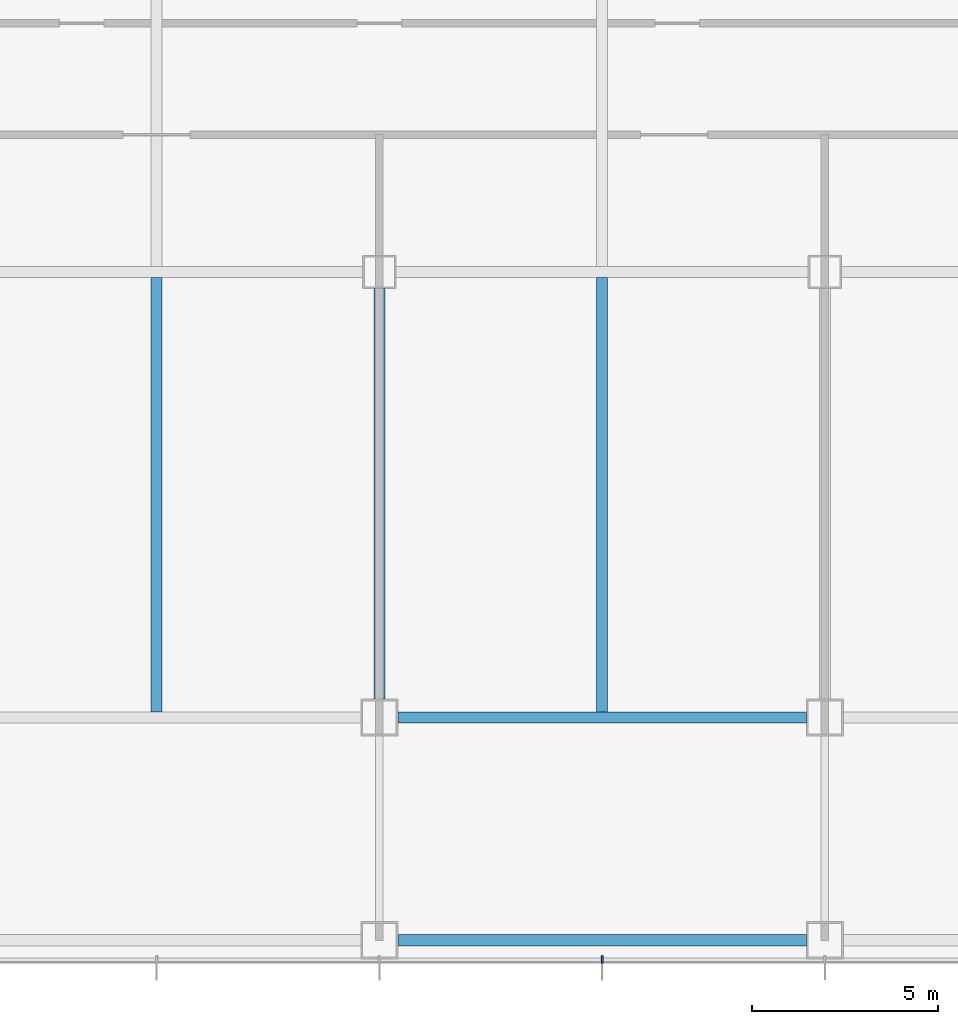
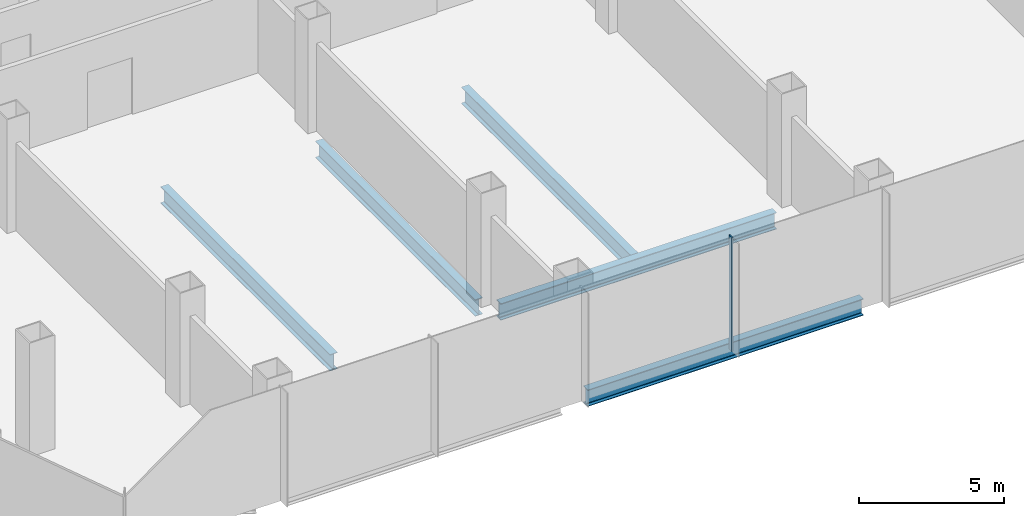
# One storey, part 3 of 33: 5 beams, 1 member, 1 element without a shape of its own.
"""IFC4 building model written with IfcOpenShell, lengths in metres."""

from ifc_helpers import new_model, si_unit, direction, frame, origin, origin_2d, place, context, subcontext, project, spatial, rectangle, i_section, extrude, material, material_profile, profile_set, type_object, element, aggregate, save


model = new_model("IFC4")

# Units and contexts
model_context = context("Model", 3, precision=1e-05, world=origin(), true_north=direction((0.0, 1.0)))
body_context = subcontext(model_context, "Body", "Model", "MODEL_VIEW")
ifc_project = project(units=[si_unit("LENGTHUNIT", "METRE"), si_unit("AREAUNIT", "SQUARE_METRE"), si_unit("VOLUMEUNIT", "CUBIC_METRE"), si_unit("PLANEANGLEUNIT", "RADIAN"), si_unit("MASSUNIT", "GRAM", prefix="KILO")], contexts=[model_context])

# Site, building, storey
site_placement = place(None, origin())
site = spatial("IfcSite", under=ifc_project, at=site_placement, CompositionType="ELEMENT")
building_placement = place(site_placement, origin())
building = spatial("IfcBuilding", under=site, at=building_placement, Name="Sorahane Residences", CompositionType="ELEMENT")
storey_placement = place(building_placement, frame((0.0, 0.0, 25.199951171875)))
storey = spatial("IfcBuildingStorey", under=building, at=storey_placement, Name="L03", CompositionType="ELEMENT", Elevation=25.199951171875)

# Curtain wall, member
ifc_material_1 = material(Name="Dark low-e glass and black anodised aluminium", Category="aluminium")
curtain_wall_type = type_object("IfcCurtainWallType", Name="Curtain wall CW-3 Podium unitised wall", PredefinedType="NOTDEFINED", material=ifc_material_1)
curtain_wall_placement = place(storey_placement, origin())
curtain_wall = element("IfcCurtainWall", 1, at=curtain_wall_placement, inside=storey, type_object=curtain_wall_type, Name="CW-3 curtain wall L03 S1", PredefinedType="NOTDEFINED")
ifc_material_2 = material(Name="Black anodised aluminium", Category="aluminium")
ifc_material_profile_1 = material_profile(ifc_material_2, rectangle(XDim=0.199951171875, YDim=0.050048828125, at=origin_2d()), Name="Curtain wall mullion CW-3 black anodised aluminium 50x200")
ifc_profile_set_1 = profile_set([ifc_material_profile_1], Name="Black anodised aluminium")
member_type = type_object("IfcMemberType", Name="Curtain wall mullion CW-3 black anodised aluminium 50x200", PredefinedType="MULLION", material=ifc_profile_set_1)
member_placement = place(storey_placement, frame((30.0, -6.52001953125, -0.39990234375), z_axis=(0.0, 0.0, 1.0), x_axis=(0.0, -1.0, 0.0)))
member = element("IfcMember", 2, at=member_placement, type_object=member_type, Name="CW-3 mullion L03 S1.5", PredefinedType="MULLION", context=body_context, shape_type="SweptSolid", body=[
    extrude(rectangle(XDim=0.199951171875, YDim=0.050048828125, at=origin_2d()), origin(), (0.0, 0.0, 1.0), 4.800048828125),
])
aggregate(curtain_wall, [member])

# Beams
ifc_material_3 = material(Name="Steel Q355B", Category="steel")
ifc_material_profile_2 = material_profile(ifc_material_3, i_section(OverallWidth=0.300048828125, OverallDepth=0.699951171875, WebThickness=0.012939453125, FlangeThickness=0.02392578125, FilletRadius=0.028076171875, at=origin_2d()), Name="HN 700x300x13x24")
ifc_profile_set_2 = profile_set([ifc_material_profile_2], Name="Steel Q355B")
beam_type = type_object("IfcBeamType", Name="Steel floor beam HN 700x300x13x24 Q355B", PredefinedType="BEAM", material=ifc_profile_set_2)
beam_1_placement = place(storey_placement, frame((24.5, 0.0, -0.75), z_axis=(1.0, 0.0, 0.0), x_axis=(0.0, 1.0, 0.0)))
element("IfcBeam", 3, at=beam_1_placement, inside=storey, type_object=beam_type, Name="Beam L03 003", PredefinedType="BEAM", context=body_context, shape_type="SweptSolid", body=[
    extrude(i_section(OverallWidth=0.300048828125, OverallDepth=0.699951171875, WebThickness=0.012939453125, FlangeThickness=0.02392578125, FilletRadius=0.028076171875, at=origin_2d()), origin(), (0.0, 0.0, 1.0), 11.0),
])
beam_2_placement = place(storey_placement, frame((18.0, 0.14990234375, -0.75), z_axis=(0.0, 1.0, 0.0), x_axis=(-1.0, 0.0, 0.0)))
element("IfcBeam", 4, at=beam_2_placement, inside=storey, type_object=beam_type, Name="Beam L03 038", PredefinedType="BEAM", context=body_context, shape_type="SweptSolid", body=[
    extrude(i_section(OverallWidth=0.300048828125, OverallDepth=0.699951171875, WebThickness=0.012939453125, FlangeThickness=0.02392578125, FilletRadius=0.028076171875, at=origin_2d()), origin(), (0.0, 0.0, 1.0), 11.7001953125),
])
beam_3_placement = place(storey_placement, frame((24.0, 0.5, -0.75), z_axis=(0.0, 1.0, 0.0), x_axis=(-1.0, 0.0, 0.0)))
element("IfcBeam", 5, at=beam_3_placement, inside=storey, type_object=beam_type, Name="Beam L03 045", PredefinedType="BEAM", context=body_context, shape_type="SweptSolid", body=[
    extrude(i_section(OverallWidth=0.300048828125, OverallDepth=0.699951171875, WebThickness=0.012939453125, FlangeThickness=0.02392578125, FilletRadius=0.028076171875, at=origin_2d()), origin(), (0.0, 0.0, 1.0), 11.050048828125),
])
beam_4_placement = place(storey_placement, frame((30.0, 0.14990234375, -0.75), z_axis=(0.0, 1.0, 0.0), x_axis=(-1.0, 0.0, 0.0)))
element("IfcBeam", 6, at=beam_4_placement, inside=storey, type_object=beam_type, Name="Beam L03 047", PredefinedType="BEAM", context=body_context, shape_type="SweptSolid", body=[
    extrude(i_section(OverallWidth=0.300048828125, OverallDepth=0.699951171875, WebThickness=0.012939453125, FlangeThickness=0.02392578125, FilletRadius=0.028076171875, at=origin_2d()), origin(), (0.0, 0.0, 1.0), 11.7001953125),
])
beam_5_placement = place(storey_placement, frame((24.5, -6.0, -0.75), z_axis=(1.0, 0.0, 0.0), x_axis=(0.0, 1.0, 0.0)))
element("IfcBeam", 7, at=beam_5_placement, inside=storey, type_object=beam_type, Name="Beam L03 080", PredefinedType="BEAM", context=body_context, shape_type="SweptSolid", body=[
    extrude(i_section(OverallWidth=0.300048828125, OverallDepth=0.699951171875, WebThickness=0.012939453125, FlangeThickness=0.02392578125, FilletRadius=0.028076171875, at=origin_2d()), origin(), (0.0, 0.0, 1.0), 11.0),
])

save(model, "model.ifc")
